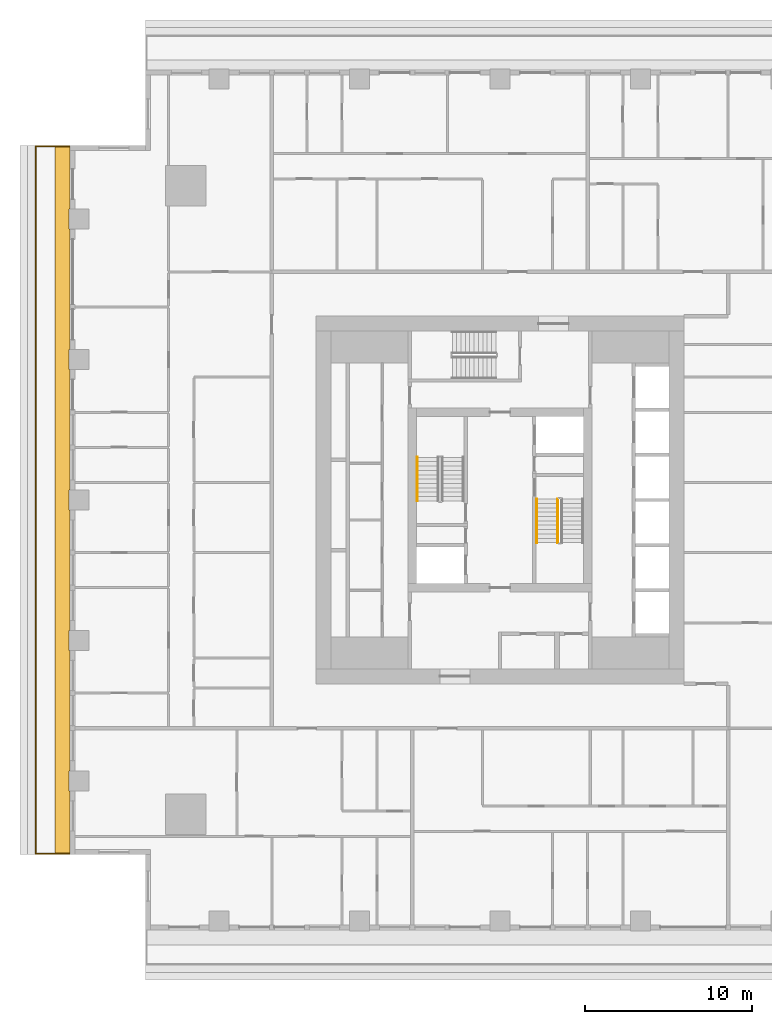
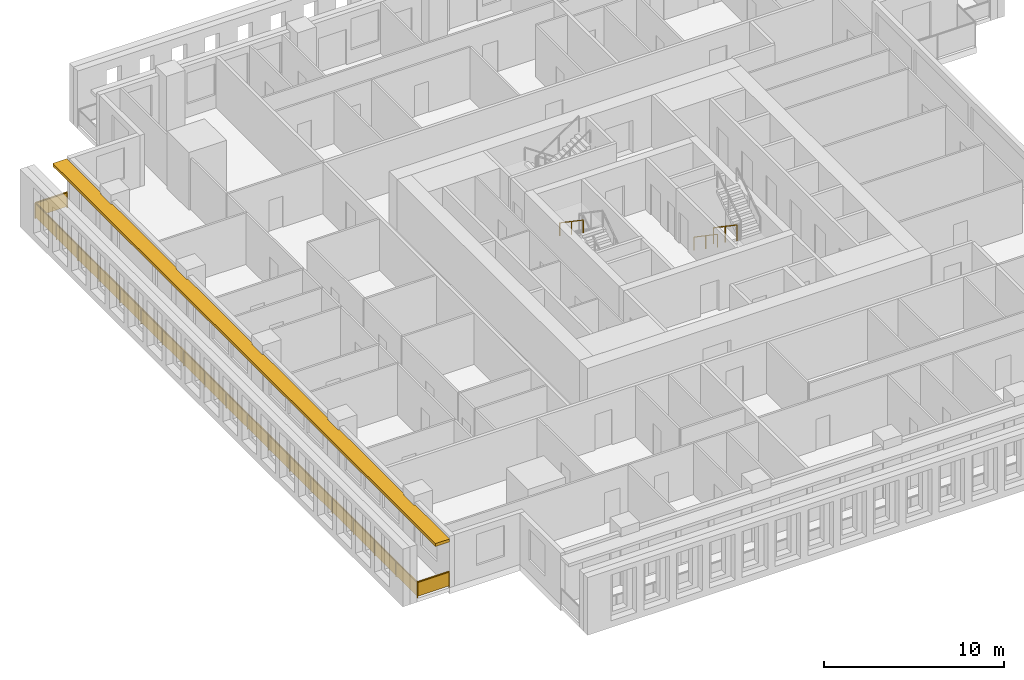
# One storey, part 11 of 15: 4 railings, 1 shading device.
"""IFC4 building model written with IfcOpenShell, lengths in metres."""

from ifc_helpers import new_model, si_unit, direction, frame, origin, origin_2d, place, context, subcontext, project, spatial, polyline, rectangle, outline, extrude, material, layer, layer_set, type_object, element, save


model = new_model("IFC4")

# Units and contexts
model_context = context("Model", 3, precision=1e-05, world=origin(), true_north=direction((0.0, 1.0)))
body_context = subcontext(model_context, "Body", "Model", "MODEL_VIEW")
ifc_project = project(units=[si_unit("LENGTHUNIT", "METRE"), si_unit("AREAUNIT", "SQUARE_METRE"), si_unit("VOLUMEUNIT", "CUBIC_METRE"), si_unit("PLANEANGLEUNIT", "RADIAN"), si_unit("MASSUNIT", "GRAM", prefix="KILO")], contexts=[model_context])

# Site, building, storey
site_placement = place(None, origin())
site = spatial("IfcSite", under=ifc_project, at=site_placement, CompositionType="ELEMENT")
building_placement = place(site_placement, origin())
building = spatial("IfcBuilding", under=site, at=building_placement, Name="Khepri Terraces", CompositionType="ELEMENT")
storey_placement = place(building_placement, frame((0.0, 0.0, 219.60009765625)))
storey = spatial("IfcBuildingStorey", under=building, at=storey_placement, Name="L52", CompositionType="ELEMENT", Elevation=219.60009765625)

# Railings
ifc_material_1 = material(Name="Stainless steel grade 316", Category="steel")
railing_type_1 = type_object("IfcRailingType", Name="GRD-BAL-1100", PredefinedType="GUARDRAIL", material=ifc_material_1)
railing_1_placement = place(storey_placement, frame((-25.719970703125, 21.169921875, 0.0)))
element("IfcRailing", 1, at=railing_1_placement, inside=storey, type_object=railing_type_1, Name="Balcony guard L52 W", PredefinedType="GUARDRAIL", context=body_context, shape_type="SweptSolid", body=[
    extrude(rectangle(XDim=0.050048828125, YDim=0.06005859375, at=origin_2d()), frame((0.0, 0.0, 1.070068359375), z_axis=(-1.0, 0.0, 0.0), x_axis=(0.0, -1.0, 0.0)), (0.0, 0.0, 1.0), 2.050048828125),
    extrude(rectangle(XDim=2.0, YDim=0.011962890625, at=origin_2d()), frame((-1.02490234375, 0.0, 0.10009765625), z_axis=(0.0, 0.0, 1.0), x_axis=(-1.0, 0.0, 0.0)), (0.0, 0.0, 1.0), 0.93994140625),
    extrude(rectangle(XDim=0.050048828125, YDim=0.06005859375, at=origin_2d()), frame((-2.050048828125, 0.0, 1.070068359375), z_axis=(0.0, -1.0, 0.0), x_axis=(1.0, 0.0, 0.0)), (0.0, 0.0, 1.0), 42.33984375),
    extrude(rectangle(XDim=2.30224609375, YDim=0.011962890625, at=origin_2d()), frame((-2.050048828125, -1.176025390625, 0.10009765625), z_axis=(0.0, 0.0, 1.0), x_axis=(0.0, -1.0, 0.0)), (0.0, 0.0, 1.0), 0.93994140625),
    extrude(rectangle(XDim=2.30224609375, YDim=0.011962890625, at=origin_2d()), frame((-2.050048828125, -3.5283203125, 0.10009765625), z_axis=(0.0, 0.0, 1.0), x_axis=(0.0, -1.0, 0.0)), (0.0, 0.0, 1.0), 0.93994140625),
    extrude(rectangle(XDim=2.30224609375, YDim=0.011962890625, at=origin_2d()), frame((-2.050048828125, -5.880615234375, 0.10009765625), z_axis=(0.0, 0.0, 1.0), x_axis=(0.0, -1.0, 0.0)), (0.0, 0.0, 1.0), 0.93994140625),
    extrude(rectangle(XDim=2.30224609375, YDim=0.011962890625, at=origin_2d()), frame((-2.050048828125, -8.232666015625, 0.10009765625), z_axis=(0.0, 0.0, 1.0), x_axis=(0.0, -1.0, 0.0)), (0.0, 0.0, 1.0), 0.93994140625),
    extrude(rectangle(XDim=2.30224609375, YDim=0.011962890625, at=origin_2d()), frame((-2.050048828125, -10.5849609375, 0.10009765625), z_axis=(0.0, 0.0, 1.0), x_axis=(0.0, -1.0, 0.0)), (0.0, 0.0, 1.0), 0.93994140625),
    extrude(rectangle(XDim=2.30224609375, YDim=0.011962890625, at=origin_2d()), frame((-2.050048828125, -12.937255859375, 0.10009765625), z_axis=(0.0, 0.0, 1.0), x_axis=(0.0, -1.0, 0.0)), (0.0, 0.0, 1.0), 0.93994140625),
    extrude(rectangle(XDim=2.30224609375, YDim=0.011962890625, at=origin_2d()), frame((-2.050048828125, -15.289306640625, 0.10009765625), z_axis=(0.0, 0.0, 1.0), x_axis=(0.0, -1.0, 0.0)), (0.0, 0.0, 1.0), 0.93994140625),
    extrude(rectangle(XDim=2.30224609375, YDim=0.011962890625, at=origin_2d()), frame((-2.050048828125, -17.6416015625, 0.10009765625), z_axis=(0.0, 0.0, 1.0), x_axis=(0.0, -1.0, 0.0)), (0.0, 0.0, 1.0), 0.93994140625),
    extrude(rectangle(XDim=2.30224609375, YDim=0.011962890625, at=origin_2d()), frame((-2.050048828125, -19.993896484375, 0.10009765625), z_axis=(0.0, 0.0, 1.0), x_axis=(0.0, -1.0, 0.0)), (0.0, 0.0, 1.0), 0.93994140625),
    extrude(rectangle(XDim=2.30224609375, YDim=0.011962890625, at=origin_2d()), frame((-2.050048828125, -22.345947265625, 0.10009765625), z_axis=(0.0, 0.0, 1.0), x_axis=(0.0, -1.0, 0.0)), (0.0, 0.0, 1.0), 0.93994140625),
    extrude(rectangle(XDim=2.30224609375, YDim=0.011962890625, at=origin_2d()), frame((-2.050048828125, -24.6982421875, 0.10009765625), z_axis=(0.0, 0.0, 1.0), x_axis=(0.0, -1.0, 0.0)), (0.0, 0.0, 1.0), 0.93994140625),
    extrude(rectangle(XDim=2.30224609375, YDim=0.011962890625, at=origin_2d()), frame((-2.050048828125, -27.050537109375, 0.10009765625), z_axis=(0.0, 0.0, 1.0), x_axis=(0.0, -1.0, 0.0)), (0.0, 0.0, 1.0), 0.93994140625),
    extrude(rectangle(XDim=2.30224609375, YDim=0.011962890625, at=origin_2d()), frame((-2.050048828125, -29.402587890625, 0.10009765625), z_axis=(0.0, 0.0, 1.0), x_axis=(0.0, -1.0, 0.0)), (0.0, 0.0, 1.0), 0.93994140625),
    extrude(rectangle(XDim=2.30224609375, YDim=0.011962890625, at=origin_2d()), frame((-2.050048828125, -31.7548828125, 0.10009765625), z_axis=(0.0, 0.0, 1.0), x_axis=(0.0, -1.0, 0.0)), (0.0, 0.0, 1.0), 0.93994140625),
    extrude(rectangle(XDim=2.30224609375, YDim=0.011962890625, at=origin_2d()), frame((-2.050048828125, -34.107177734375, 0.10009765625), z_axis=(0.0, 0.0, 1.0), x_axis=(0.0, -1.0, 0.0)), (0.0, 0.0, 1.0), 0.93994140625),
    extrude(rectangle(XDim=2.30224609375, YDim=0.011962890625, at=origin_2d()), frame((-2.050048828125, -36.459228515625, 0.10009765625), z_axis=(0.0, 0.0, 1.0), x_axis=(0.0, -1.0, 0.0)), (0.0, 0.0, 1.0), 0.93994140625),
    extrude(rectangle(XDim=2.30224609375, YDim=0.011962890625, at=origin_2d()), frame((-2.050048828125, -38.8115234375, 0.10009765625), z_axis=(0.0, 0.0, 1.0), x_axis=(0.0, -1.0, 0.0)), (0.0, 0.0, 1.0), 0.93994140625),
    extrude(rectangle(XDim=2.30224609375, YDim=0.011962890625, at=origin_2d()), frame((-2.050048828125, -41.163818359375, 0.10009765625), z_axis=(0.0, 0.0, 1.0), x_axis=(0.0, -1.0, 0.0)), (0.0, 0.0, 1.0), 0.93994140625),
    extrude(rectangle(XDim=0.050048828125, YDim=0.06005859375, at=origin_2d()), frame((-2.050048828125, -42.33984375, 1.070068359375), z_axis=(1.0, 0.0, 0.0), x_axis=(0.0, 1.0, 0.0)), (0.0, 0.0, 1.0), 2.050048828125),
    extrude(rectangle(XDim=2.0, YDim=0.011962890625, at=origin_2d()), frame((-1.02490234375, -42.33984375, 0.10009765625), z_axis=(0.0, 0.0, 1.0), x_axis=(1.0, 0.0, 0.0)), (0.0, 0.0, 1.0), 0.93994140625),
    extrude(rectangle(XDim=0.050048828125, YDim=0.050048828125, at=origin_2d()), origin(), (0.0, 0.0, 1.0), 1.0400390625),
    extrude(rectangle(XDim=0.050048828125, YDim=0.050048828125, at=origin_2d()), frame((-2.050048828125, 0.0, 0.0)), (0.0, 0.0, 1.0), 1.0400390625),
    extrude(rectangle(XDim=0.050048828125, YDim=0.050048828125, at=origin_2d()), frame((-2.050048828125, -2.352294921875, 0.0)), (0.0, 0.0, 1.0), 1.0400390625),
    extrude(rectangle(XDim=0.050048828125, YDim=0.050048828125, at=origin_2d()), frame((-2.050048828125, -4.704345703125, 0.0)), (0.0, 0.0, 1.0), 1.0400390625),
    extrude(rectangle(XDim=0.050048828125, YDim=0.050048828125, at=origin_2d()), frame((-2.050048828125, -7.056640625, 0.0)), (0.0, 0.0, 1.0), 1.0400390625),
    extrude(rectangle(XDim=0.050048828125, YDim=0.050048828125, at=origin_2d()), frame((-2.050048828125, -9.408935546875, 0.0)), (0.0, 0.0, 1.0), 1.0400390625),
    extrude(rectangle(XDim=0.050048828125, YDim=0.050048828125, at=origin_2d()), frame((-2.050048828125, -11.760986328125, 0.0)), (0.0, 0.0, 1.0), 1.0400390625),
    extrude(rectangle(XDim=0.050048828125, YDim=0.050048828125, at=origin_2d()), frame((-2.050048828125, -14.11328125, 0.0)), (0.0, 0.0, 1.0), 1.0400390625),
    extrude(rectangle(XDim=0.050048828125, YDim=0.050048828125, at=origin_2d()), frame((-2.050048828125, -16.465576171875, 0.0)), (0.0, 0.0, 1.0), 1.0400390625),
    extrude(rectangle(XDim=0.050048828125, YDim=0.050048828125, at=origin_2d()), frame((-2.050048828125, -18.817626953125, 0.0)), (0.0, 0.0, 1.0), 1.0400390625),
    extrude(rectangle(XDim=0.050048828125, YDim=0.050048828125, at=origin_2d()), frame((-2.050048828125, -21.169921875, 0.0)), (0.0, 0.0, 1.0), 1.0400390625),
    extrude(rectangle(XDim=0.050048828125, YDim=0.050048828125, at=origin_2d()), frame((-2.050048828125, -23.522216796875, 0.0)), (0.0, 0.0, 1.0), 1.0400390625),
    extrude(rectangle(XDim=0.050048828125, YDim=0.050048828125, at=origin_2d()), frame((-2.050048828125, -25.874267578125, 0.0)), (0.0, 0.0, 1.0), 1.0400390625),
    extrude(rectangle(XDim=0.050048828125, YDim=0.050048828125, at=origin_2d()), frame((-2.050048828125, -28.2265625, 0.0)), (0.0, 0.0, 1.0), 1.0400390625),
    extrude(rectangle(XDim=0.050048828125, YDim=0.050048828125, at=origin_2d()), frame((-2.050048828125, -30.578857421875, 0.0)), (0.0, 0.0, 1.0), 1.0400390625),
    extrude(rectangle(XDim=0.050048828125, YDim=0.050048828125, at=origin_2d()), frame((-2.050048828125, -32.930908203125, 0.0)), (0.0, 0.0, 1.0), 1.0400390625),
    extrude(rectangle(XDim=0.050048828125, YDim=0.050048828125, at=origin_2d()), frame((-2.050048828125, -35.283203125, 0.0)), (0.0, 0.0, 1.0), 1.0400390625),
    extrude(rectangle(XDim=0.050048828125, YDim=0.050048828125, at=origin_2d()), frame((-2.050048828125, -37.635498046875, 0.0)), (0.0, 0.0, 1.0), 1.0400390625),
    extrude(rectangle(XDim=0.050048828125, YDim=0.050048828125, at=origin_2d()), frame((-2.050048828125, -39.987548828125, 0.0)), (0.0, 0.0, 1.0), 1.0400390625),
    extrude(rectangle(XDim=0.050048828125, YDim=0.050048828125, at=origin_2d()), frame((-2.050048828125, -42.33984375, 0.0)), (0.0, 0.0, 1.0), 1.0400390625),
    extrude(rectangle(XDim=0.050048828125, YDim=0.050048828125, at=origin_2d()), frame((0.0, -42.33984375, 0.0)), (0.0, 0.0, 1.0), 1.0400390625),
])
ifc_material_2 = material(Name="Stainless steel 316", Category="steel")
railing_type_2 = type_object("IfcRailingType", Name="RL-CORE-GUARD", PredefinedType="GUARDRAIL", material=ifc_material_2)
railing_2_placement = place(storey_placement, frame((3.449951171875, 0.050048828125, 0.17724609375)))
element("IfcRailing", 2, at=railing_2_placement, inside=storey, type_object=railing_type_2, Name="L52 ST-2 stair guard 1", PredefinedType="GUARDRAIL", context=body_context, shape_type="SweptSolid", body=[
    extrude(rectangle(XDim=0.050048828125, YDim=0.06005859375, at=origin_2d()), frame((0.0, 0.0, 1.070068359375), z_axis=(0.0, -0.826240473404, 0.563317565952), x_axis=(1.0, 0.0, 0.0)), (0.0, 0.0, 1.0), 3.14697265625),
    extrude(rectangle(XDim=0.050048828125, YDim=0.050048828125, at=origin_2d()), origin(), (0.0, 0.0, 1.0), 1.0400390625),
    extrude(rectangle(XDim=0.050048828125, YDim=0.050048828125, at=origin_2d()), frame((0.0, -1.300048828125, 0.88623046875)), (0.0, 0.0, 1.0), 1.0400390625),
    extrude(rectangle(XDim=0.050048828125, YDim=0.050048828125, at=origin_2d()), frame((0.0, -2.60009765625, 1.772705078125)), (0.0, 0.0, 1.0), 1.0400390625),
])
railing_type_3 = type_object("IfcRailingType", Name="RL-CORE-HANDRAIL", PredefinedType="HANDRAIL", material=ifc_material_2)
for number, where, name in (
    (3, (-4.949951171875, 2.550048828125, 2.127197265625), "L52 ST-1 stair handrail 2"),
    (4, (2.199951171875, 0.050048828125, 0.17724609375), "L52 ST-2 stair handrail 1"),
):
    element("IfcRailing", number, at=place(storey_placement, frame(where)), inside=storey, type_object=railing_type_3, Name=name, PredefinedType="HANDRAIL", context=body_context, shape_type="SweptSolid", body=[
        extrude(rectangle(XDim=0.050048828125, YDim=0.050048828125, at=origin_2d()), frame((0.0, 0.0, 0.875), z_axis=(0.0, -0.826240473404, 0.563317565952), x_axis=(1.0, 0.0, 0.0)), (0.0, 0.0, 1.0), 3.14697265625),
        extrude(rectangle(XDim=0.050048828125, YDim=0.050048828125, at=origin_2d()), origin(), (0.0, 0.0, 1.0), 0.849853515625),
        extrude(rectangle(XDim=0.050048828125, YDim=0.050048828125, at=origin_2d()), frame((0.0, -1.300048828125, 0.88623046875)), (0.0, 0.0, 1.0), 0.849853515625),
        extrude(rectangle(XDim=0.050048828125, YDim=0.050048828125, at=origin_2d()), frame((0.0, -2.60009765625, 1.772705078125)), (0.0, 0.0, 1.0), 0.849853515625),
    ])

# Shading device
ifc_material_3 = material(Name="Precast concrete C50/60 warm stone", Category="masonry")
ifc_layer = layer(ifc_material_3, 0.199951171875, Name="Precast concrete C50/60 warm stone", Category="masonry")
ifc_layer_set = layer_set([ifc_layer], Name="Precast concrete C50/60 warm stone")
shading_device_type = type_object("IfcShadingDeviceType", Name="SSH-BAND-STONE-200", PredefinedType="USERDEFINED", material=ifc_layer_set)
shading_device_placement = place(storey_placement, frame((0.0, 0.0, 3.099853515625)))
element("IfcShadingDevice", 5, at=shading_device_placement, inside=storey, type_object=shading_device_type, Name="Sunshade band L52 W", ObjectType="SUNSHADE", PredefinedType="USERDEFINED", context=body_context, shape_type="SweptSolid", body=[
    extrude(outline(polyline([(-25.719970703125, 17.39990234375), (-25.719970703125, 21.219970703125), (-26.6201171875, 21.219970703125), (-26.6201171875, -21.219970703125), (-25.719970703125, -21.219970703125), (-25.719970703125, -17.39990234375), (-25.800048828125, -17.39990234375), (-25.800048828125, -16.199951171875), (-25.719970703125, -16.199951171875), (-25.719970703125, -9.0), (-25.800048828125, -9.0), (-25.800048828125, -7.800048828125), (-25.719970703125, -7.800048828125), (-25.719970703125, -0.60009765625), (-25.800048828125, -0.60009765625), (-25.800048828125, 0.60009765625), (-25.719970703125, 0.60009765625), (-25.719970703125, 7.800048828125), (-25.800048828125, 7.800048828125), (-25.800048828125, 9.0), (-25.719970703125, 9.0), (-25.719970703125, 16.199951171875), (-25.800048828125, 16.199951171875), (-25.800048828125, 17.39990234375), (-25.719970703125, 17.39990234375)])), origin(), (0.0, 0.0, 1.0), 0.199951171875),
])

save(model, "model.ifc")
